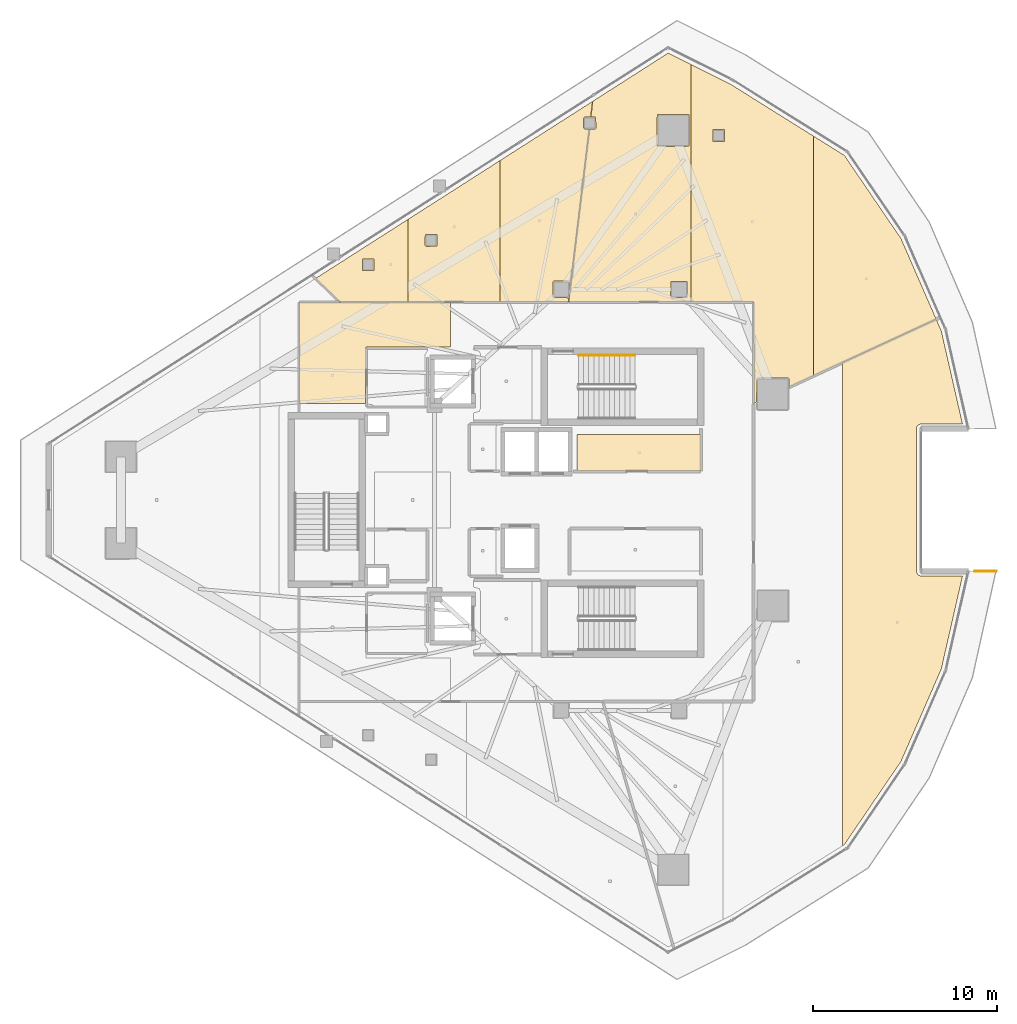
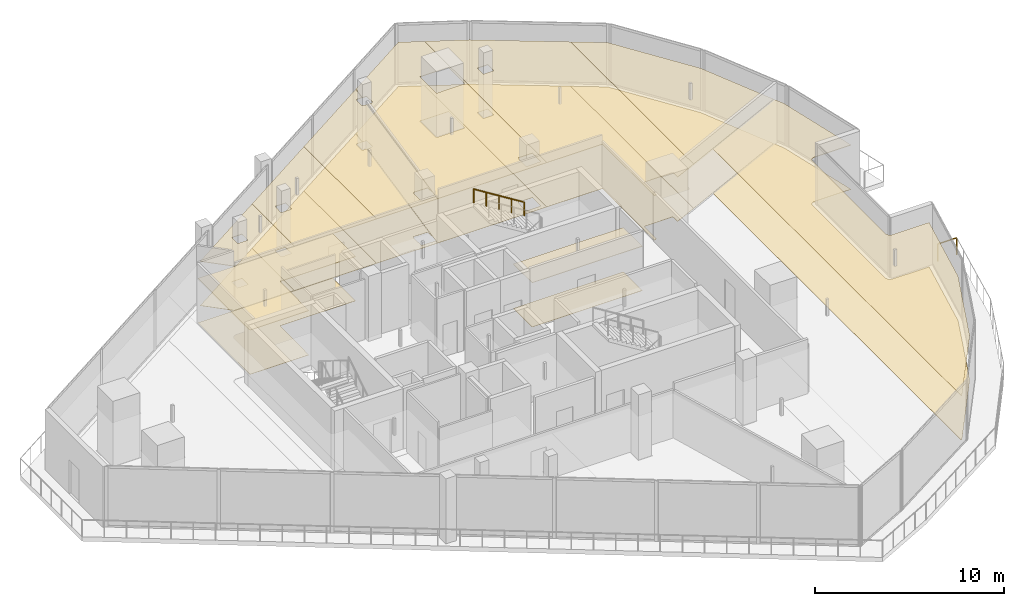
# One storey, part 31 of 31: 18 coverings, 2 railings.
"""IFC4 building model written with IfcOpenShell, lengths in metres."""

import ifcopenshell
import ifcopenshell.guid

model = None  # the IFC model being written
_history = None  # IfcOwnerHistory: only IFC2X3 demands one
_inside = {}  # id of a spatial element -> (the spatial element, [elements in it])
_under = {}  # id of a project, library or spatial element -> (it, [spatial elements below it])
_declared = {}  # id of a project -> (the project, [libraries it declares])
_typed = {}  # id of a type object -> (the type object, [elements of that type])
_made_of = {}  # id of a material, layer set ... -> (it, [elements and type objects made of it])


def new_model(schema):
    """Start an empty IFC model of exactly this schema.

    Asked for "IFC4X3", IfcOpenShell would pick the latest addendum, in which some entities
    have other attributes; the version numbers below select the first issue.
    IFC2X3 requires an IfcOwnerHistory on every rooted entity: one is made here for all.
    """
    global model, _history
    if schema == "IFC4X3":
        model = ifcopenshell.file(schema_version=(4, 3, 0, 0))
    else:
        model = ifcopenshell.file(schema=schema)
    _inside.clear()
    _under.clear()
    _declared.clear()
    _typed.clear()
    _made_of.clear()
    _history = None
    if model.schema == "IFC2X3":
        org = make("IfcOrganization", Name="unknown")
        user = make(
            "IfcPersonAndOrganization",
            ThePerson=make("IfcPerson", FamilyName="unknown"),
            TheOrganization=org,
        )
        app = make(
            "IfcApplication",
            ApplicationDeveloper=org,
            Version="unknown",
            ApplicationFullName="unknown",
            ApplicationIdentifier="unknown",
        )
        _history = make(
            "IfcOwnerHistory",
            OwningUser=user,
            OwningApplication=app,
            ChangeAction="ADDED",
            CreationDate=0,
        )
    return model


def make(cls, **values):
    """One entity of the class cls with the attributes given. An attribute that is None is left unset."""
    return model.create_entity(
        cls, **{name: value for name, value in values.items() if value is not None}
    )


def rooted(cls, **values):
    """An entity with a GlobalId (a new one), such as an element, a storey or a relation."""
    return make(cls, GlobalId=ifcopenshell.guid.new(), OwnerHistory=_history, **values)


def si_unit(unit_type, name, prefix=None):
    """IfcSIUnit, for example si_unit("LENGTHUNIT", "METRE", prefix="MILLI")."""
    return make("IfcSIUnit", UnitType=unit_type, Prefix=prefix, Name=name)


def assignment(units):
    """IfcUnitAssignment: the units of a project."""
    return None if units is None else make("IfcUnitAssignment", Units=units)


def point(xyz):
    """IfcCartesianPoint."""
    return None if xyz is None else make("IfcCartesianPoint", Coordinates=xyz)


def direction(xyz):
    """IfcDirection."""
    return None if xyz is None else make("IfcDirection", DirectionRatios=xyz)


def frame(location, z_axis=None, x_axis=None):
    """IfcAxis2Placement3D, a coordinate frame: its origin and axes. An axis left out is left unset."""
    return make(
        "IfcAxis2Placement3D",
        Location=point(location),
        Axis=direction(z_axis),
        RefDirection=direction(x_axis),
    )


def frame_2d(location, x_axis=None):
    """IfcAxis2Placement2D, a coordinate frame in the plane: its origin and x axis."""
    return make(
        "IfcAxis2Placement2D", Location=point(location), RefDirection=direction(x_axis)
    )


def origin():
    """The frame at (0, 0, 0) with its axes left unset."""
    return frame((0.0, 0.0, 0.0))


def origin_2d():
    """The frame at (0, 0) in the plane with its x axis left unset."""
    return frame_2d((0.0, 0.0))


def place(relative_to, where):
    """IfcLocalPlacement: puts the frame where relative to a parent placement (None: the world)."""
    return make(
        "IfcLocalPlacement", PlacementRelTo=relative_to, RelativePlacement=where
    )


def context(
    kind, dimensions, precision=None, world=None, true_north=None, identifier=None
):
    """IfcGeometricRepresentationContext, for example the 3D "Model" context."""
    return make(
        "IfcGeometricRepresentationContext",
        ContextIdentifier=identifier,
        ContextType=kind,
        CoordinateSpaceDimension=dimensions,
        Precision=precision,
        WorldCoordinateSystem=world,
        TrueNorth=true_north,
    )


def subcontext(parent, identifier, kind, view, scale=None):
    """IfcGeometricRepresentationSubContext, for example "Body" below "Model"."""
    return make(
        "IfcGeometricRepresentationSubContext",
        ContextIdentifier=identifier,
        ContextType=kind,
        ParentContext=parent,
        TargetScale=scale,
        TargetView=view,
    )


def project(units=None, contexts=None):
    """IfcProject with its units and contexts."""
    return rooted(
        "IfcProject",
        Name="project",
        RepresentationContexts=contexts,
        UnitsInContext=assignment(units),
    )


def spatial(cls, under=None, at=None, **own):
    """A site, building, storey or space (cls), placed at a placement, below another one or the project."""
    s = rooted(cls, ObjectPlacement=at, **own)
    if under is not None:
        _under.setdefault(under.id(), (under, []))[1].append(s)
    return s


def polyline(points):
    """IfcPolyline through the points."""
    return make("IfcPolyline", Points=[point(p) for p in points])


def profile(cls, at=None, kind="AREA", **sizes):
    """A parametric profile (cls). Its sizes go by their IFC names, for example OverallWidth=200.0."""
    return make(cls, ProfileType=kind, Position=at, **sizes)


def circle(**sizes):
    """IfcCircleProfileDef."""
    return profile("IfcCircleProfileDef", **sizes)


def outline(outer, holes=None, kind="AREA"):
    """IfcArbitraryClosedProfileDef: a profile drawn as a closed curve; with holes, ...WithVoids."""
    if holes is None:
        return make("IfcArbitraryClosedProfileDef", ProfileType=kind, OuterCurve=outer)
    return make(
        "IfcArbitraryProfileDefWithVoids",
        ProfileType=kind,
        OuterCurve=outer,
        InnerCurves=holes,
    )


def extrude(swept, where, along, depth):
    """IfcExtrudedAreaSolid: the profile swept, set in the frame where, extruded along a direction by depth."""
    return make(
        "IfcExtrudedAreaSolid",
        SweptArea=swept,
        Position=where,
        ExtrudedDirection=direction(along),
        Depth=depth,
    )


def shape(context_of_items, identifier, shape_type, items):
    """IfcShapeRepresentation: the items that make up one representation, for example the "Body"."""
    return make(
        "IfcShapeRepresentation",
        ContextOfItems=context_of_items,
        RepresentationIdentifier=identifier,
        RepresentationType=shape_type,
        Items=items,
    )


def material(Name=None, Category=None):
    """IfcMaterial."""
    return make("IfcMaterial", Name=Name, Category=Category)


def layer(
    of_material, thickness, ventilated=None, Name=None, Category=None, Priority=None
):
    """IfcMaterialLayer: one layer of a wall or slab, of a material (None: an air gap)."""
    return make(
        "IfcMaterialLayer",
        Material=of_material,
        LayerThickness=thickness,
        IsVentilated=ventilated,
        Name=Name,
        Category=Category,
        Priority=Priority,
    )


def layer_set(layers, Name=None):
    """IfcMaterialLayerSet."""
    return make("IfcMaterialLayerSet", MaterialLayers=layers, LayerSetName=Name)


def made_of(thing, what):
    """Note that an element or type object is made of a material, layer set ...; save() writes the relation."""
    if what is not None:
        _made_of.setdefault(what.id(), (what, []))[1].append(thing)
    return thing


def type_object(cls, material=None, **own):
    """A type object (cls), such as IfcWallType, which elements share."""
    return made_of(rooted(cls, **own), material)


def element(
    cls,
    number,
    at=None,
    inside=None,
    cuts=None,
    type_object=None,
    material=None,
    context=None,
    identifier="Body",
    shape_type=None,
    held_by="IfcProductDefinitionShape",
    body=None,
    shapes=None,
    **own,
):
    """One element of the class cls, such as IfcWall. Its Tag is "e" and its number.

    at: its placement. inside: the storey or other place that contains it. cuts: it is an
    opening in that element (IfcRelVoidsElement). A single representation is given by context,
    identifier, shape_type and body (its items); several are given by shapes. held_by: the class
    of the entity that holds the representations. save() writes the other relations.
    """
    e = rooted(cls, Tag="e%d" % number, ObjectPlacement=at, **own)
    if body is not None:
        shapes = [shape(context, identifier, shape_type, body)]
    if shapes is not None:
        e.Representation = make(held_by, Representations=shapes)
    if inside is not None:
        _inside.setdefault(inside.id(), (inside, []))[1].append(e)
    if cuts is not None:
        rooted(
            "IfcRelVoidsElement", RelatingBuildingElement=cuts, RelatedOpeningElement=e
        )
    if type_object is not None:
        _typed.setdefault(type_object.id(), (type_object, []))[1].append(e)
    return made_of(e, material)


def aggregate(whole, parts):
    """IfcRelAggregates: a whole, such as a stair, and the parts it consists of."""
    return rooted("IfcRelAggregates", RelatingObject=whole, RelatedObjects=parts)


def save(model, path):
    """Write the relations noted so far, then the file.

    IfcRelAggregates (storeys below a building ...), IfcRelContainedInSpatialStructure (elements
    in a storey), IfcRelDefinesByType, IfcRelAssociatesMaterial and IfcRelDeclares: one each for
    every whole, place, type object, material and project.
    """
    for whole, parts in _under.values():
        aggregate(whole, parts)
    for where, things in _inside.values():
        rooted(
            "IfcRelContainedInSpatialStructure",
            RelatedElements=things,
            RelatingStructure=where,
        )
    for kind, things in _typed.values():
        rooted("IfcRelDefinesByType", RelatedObjects=things, RelatingType=kind)
    for what, things in _made_of.values():
        rooted("IfcRelAssociatesMaterial", RelatedObjects=things, RelatingMaterial=what)
    for by, libraries in _declared.values():
        rooted("IfcRelDeclares", RelatingContext=by, RelatedDefinitions=libraries)
    model.write(path)


model = new_model("IFC4")

# Units and contexts
model_context = context("Model", 3, precision=1e-05, world=origin(), true_north=direction((0.0, 1.0)))
body_context = subcontext(model_context, "Body", "Model", "MODEL_VIEW")
ifc_project = project(units=[si_unit("LENGTHUNIT", "METRE"), si_unit("AREAUNIT", "SQUARE_METRE"), si_unit("VOLUMEUNIT", "CUBIC_METRE"), si_unit("PLANEANGLEUNIT", "RADIAN"), si_unit("MASSUNIT", "GRAM", prefix="KILO")], contexts=[model_context])

# Site, building, storey
site_placement = place(None, origin())
site = spatial("IfcSite", under=ifc_project, at=site_placement, CompositionType="ELEMENT")
building_placement = place(site_placement, origin())
building = spatial("IfcBuilding", under=site, at=building_placement, Name="Qorvath Tower", CompositionType="ELEMENT")
storey_placement = place(building_placement, frame((0.0, 0.0, 264.0)))
storey = spatial("IfcBuildingStorey", under=building, at=storey_placement, Name="L61", CompositionType="ELEMENT", Elevation=264.0)

# Coverings
ifc_material_1 = material(Name="Acoustic mineral fibre ceiling tile", Category="gypsum")
ifc_layer_1 = layer(ifc_material_1, 0.030029296875)
ifc_layer_set_1 = layer_set([ifc_layer_1], Name="COV-CEIL")
covering_type_1 = type_object("IfcCoveringType", Name="COV-CEIL", PredefinedType="CEILING", material=ifc_layer_set_1)
covering_1_placement = place(storey_placement, frame((0.0, 0.0, 2.85009765625)))
element("IfcCovering", 1, at=covering_1_placement, inside=storey, type_object=covering_type_1, Name="L61 Suspended Acoustic Ceiling 003", PredefinedType="CEILING", context=body_context, shape_type="SweptSolid", body=[
    extrude(outline(polyline([(-16.0048828125, 3.56005859375), (-22.739990234375, 3.56005859375), (-22.739990234375, 1.56494140625), (-16.0048828125, 1.56494140625), (-16.0048828125, 3.56005859375)])), origin(), (0.0, 0.0, 1.0), 0.030029296875),
])
covering_2_placement = place(storey_placement, frame((0.0, 0.0, 2.85009765625)))
element("IfcCovering", 2, at=covering_2_placement, inside=storey, type_object=covering_type_1, Name="L61 Suspended Acoustic Ceiling 011", PredefinedType="CEILING", context=body_context, shape_type="SweptSolid", body=[
    extrude(outline(polyline([(-29.614990234375, 8.324951171875), (-29.614990234375, 10.7451171875), (-37.844970703125, 10.7451171875), (-37.844970703125, 5.239990234375), (-34.2509765625, 5.239990234375), (-34.219970703125, 8.324951171875), (-29.614990234375, 8.324951171875)])), origin(), (0.0, 0.0, 1.0), 0.030029296875),
])
covering_3_placement = place(storey_placement, frame((0.0, 0.0, 2.85009765625)))
element("IfcCovering", 3, at=covering_3_placement, inside=storey, type_object=covering_type_1, Name="L61 Suspended Acoustic Ceiling 018", PredefinedType="CEILING", context=body_context, shape_type="SweptSolid", body=[
    extrude(outline(polyline([(-2.941650390625, 9.189697265625), (-3.216064453125, 9.81884765625), (-8.301025390625, 7.4716796875), (-8.301025390625, -18.788818359375), (-8.21044921875, -18.732177734375), (-5.135986328125, -14.220947265625), (-2.941650390625, -9.189697265625), (-1.786376953125, -4.126708984375), (-4.072509765625, -4.12548828125), (-4.229248046875, -4.05078125), (-4.3017578125, -3.896240234375), (-4.291259765625, 3.947265625), (-4.20849609375, 4.069580078125), (-4.072509765625, 4.12548828125), (-1.786376953125, 4.126708984375), (-2.941650390625, 9.189697265625)])), origin(), (0.0, 0.0, 1.0), 0.030029296875),
])
covering_4_placement = place(storey_placement, frame((0.0, 0.0, 2.85009765625)))
element("IfcCovering", 4, at=covering_4_placement, inside=storey, type_object=covering_type_1, Name="L61 Suspended Acoustic Ceiling 019", PredefinedType="CEILING", context=body_context, shape_type="SweptSolid", body=[
    extrude(outline(polyline([(-17.787109375, 24.300048828125), (-21.8857421875, 21.680419921875), (-21.98828125, 20.829833984375), (-21.73583984375, 20.812255859375), (-21.71826171875, 20.219970703125), (-21.7783203125, 20.159912109375), (-22.06884765625, 20.159912109375), (-23.19970703125, 10.762939453125), (-16.541015625, 10.761962890625), (-16.541015625, 23.677001953125), (-17.787109375, 24.300048828125)]), holes=[polyline([(-18.400390625, 19.276611328125), (-18.3828125, 20.968994140625), (-16.648193359375, 20.968994140625), (-16.648193359375, 19.234130859375), (-18.340576171875, 19.216552734375), (-18.400390625, 19.276611328125)]), polyline([(-17.659912109375, 11.050048828125), (-17.642333984375, 11.892333984375), (-16.757568359375, 11.892333984375), (-16.757568359375, 11.007568359375), (-17.60009765625, 10.989990234375), (-17.659912109375, 11.050048828125)])]), origin(), (0.0, 0.0, 1.0), 0.030029296875),
])
covering_5_placement = place(storey_placement, frame((0.0, 0.0, 2.85009765625)))
element("IfcCovering", 5, at=covering_5_placement, inside=storey, type_object=covering_type_1, Name="L61 Suspended Acoustic Ceiling 020", PredefinedType="CEILING", context=body_context, shape_type="SweptSolid", body=[
    extrude(outline(polyline([(-16.541015625, 23.677001953125), (-16.541015625, 10.761962890625), (-13.138427734375, 10.761474609375), (-13.136962890625, 5.25927734375), (-12.981689453125, 5.3310546875), (-12.964111328125, 6.625244140625), (-11.271728515625, 6.642822265625), (-11.2119140625, 6.5830078125), (-11.2119140625, 6.14794921875), (-9.882080078125, 6.76171875), (-9.882080078125, 19.778076171875), (-14.4140625, 22.613525390625), (-16.541015625, 23.677001953125)]), holes=[polyline([(-15.363525390625, 19.500732421875), (-15.363525390625, 20.135498046875), (-14.728759765625, 20.135498046875), (-14.728759765625, 19.500732421875), (-15.363525390625, 19.500732421875)])]), origin(), (0.0, 0.0, 1.0), 0.030029296875),
])
covering_6_placement = place(storey_placement, frame((0.0, 0.0, 2.85009765625)))
element("IfcCovering", 6, at=covering_6_placement, inside=storey, type_object=covering_type_1, Name="L61 Suspended Acoustic Ceiling 021", PredefinedType="CEILING", context=body_context, shape_type="SweptSolid", body=[
    extrude(outline(polyline([(-9.882080078125, 19.778076171875), (-9.882080078125, 6.76171875), (-3.223388671875, 9.83544921875), (-5.135986328125, 14.220947265625), (-8.21044921875, 18.732177734375), (-9.882080078125, 19.778076171875)])), origin(), (0.0, 0.0, 1.0), 0.030029296875),
])
covering_7_placement = place(storey_placement, frame((0.0, 0.0, 2.85009765625)))
element("IfcCovering", 7, at=covering_7_placement, inside=storey, type_object=covering_type_1, Name="L61 Suspended Acoustic Ceiling 022", PredefinedType="CEILING", context=body_context, shape_type="SweptSolid", body=[
    extrude(outline(polyline([(-31.93994140625, 10.762939453125), (-31.93994140625, 15.25439453125), (-36.95703125, 12.0478515625), (-35.626708984375, 10.762939453125), (-31.93994140625, 10.762939453125)]), holes=[polyline([(-34.421630859375, 12.47509765625), (-34.421630859375, 13.10986328125), (-33.786865234375, 13.10986328125), (-33.786865234375, 12.47509765625), (-34.421630859375, 12.47509765625)])]), origin(), (0.0, 0.0, 1.0), 0.030029296875),
])
covering_8_placement = place(storey_placement, frame((0.0, 0.0, 2.85009765625)))
element("IfcCovering", 8, at=covering_8_placement, inside=storey, type_object=covering_type_1, Name="L61 Suspended Acoustic Ceiling 023", PredefinedType="CEILING", context=body_context, shape_type="SweptSolid", body=[
    extrude(outline(polyline([(-26.922607421875, 10.762939453125), (-26.922607421875, 18.461181640625), (-31.93994140625, 15.25439453125), (-31.93994140625, 10.762939453125), (-26.922607421875, 10.762939453125)]), holes=[polyline([(-31.01220703125, 13.849365234375), (-30.99462890625, 14.441650390625), (-30.35986328125, 14.441650390625), (-30.35986328125, 13.806884765625), (-30.9521484375, 13.789306640625), (-31.01220703125, 13.849365234375)])]), origin(), (0.0, 0.0, 1.0), 0.030029296875),
])
covering_9_placement = place(storey_placement, frame((0.0, 0.0, 2.85009765625)))
element("IfcCovering", 9, at=covering_9_placement, inside=storey, type_object=covering_type_1, Name="L61 Suspended Acoustic Ceiling 024", PredefinedType="CEILING", context=body_context, shape_type="SweptSolid", body=[
    extrude(outline(polyline([(-22.328125, 20.829833984375), (-22.00634765625, 20.829833984375), (-21.905517578125, 21.667724609375), (-26.922607421875, 18.461181640625), (-26.922607421875, 10.762939453125), (-23.2177734375, 10.762939453125), (-23.18994140625, 10.994140625), (-24.04248046875, 11.007568359375), (-24.06005859375, 11.85009765625), (-24.0, 11.909912109375), (-23.157470703125, 11.892333984375), (-23.139892578125, 11.40966796875), (-22.0869140625, 20.159912109375), (-22.328125, 20.159912109375), (-22.38818359375, 20.219970703125), (-22.38818359375, 20.77001953125), (-22.328125, 20.829833984375)])), origin(), (0.0, 0.0, 1.0), 0.030029296875),
])
ifc_material_2 = material(Name="Low-VOC modular carpet tile", Category="textile")
ifc_layer_2 = layer(ifc_material_2, 0.014892578125)
ifc_layer_set_2 = layer_set([ifc_layer_2], Name="COV-FLOOR-CPT")
covering_type_2 = type_object("IfcCoveringType", Name="COV-FLOOR-CPT", PredefinedType="FLOORING", material=ifc_layer_set_2)
covering_10_placement = place(storey_placement, origin())
element("IfcCovering", 10, at=covering_10_placement, inside=storey, type_object=covering_type_2, Name="L61 Floor Finish 003", PredefinedType="FLOORING", context=body_context, shape_type="SweptSolid", body=[
    extrude(outline(polyline([(-16.0048828125, 3.56005859375), (-22.739990234375, 3.56005859375), (-22.739990234375, 1.56494140625), (-16.0048828125, 1.56494140625), (-16.0048828125, 3.56005859375)])), origin(), (0.0, 0.0, 1.0), 0.014892578125),
])
covering_11_placement = place(storey_placement, origin())
element("IfcCovering", 11, at=covering_11_placement, inside=storey, type_object=covering_type_2, Name="L61 Floor Finish 018", PredefinedType="FLOORING", context=body_context, shape_type="SweptSolid", body=[
    extrude(outline(polyline([(-2.941650390625, 9.189697265625), (-3.216064453125, 9.81884765625), (-8.301025390625, 7.4716796875), (-8.301025390625, -18.788818359375), (-8.21044921875, -18.732177734375), (-5.135986328125, -14.220947265625), (-2.941650390625, -9.189697265625), (-1.786376953125, -4.126708984375), (-4.072509765625, -4.12548828125), (-4.229248046875, -4.05078125), (-4.3017578125, -3.896240234375), (-4.291259765625, 3.947265625), (-4.20849609375, 4.069580078125), (-4.072509765625, 4.12548828125), (-1.786376953125, 4.126708984375), (-2.941650390625, 9.189697265625)])), origin(), (0.0, 0.0, 1.0), 0.014892578125),
])
covering_12_placement = place(storey_placement, origin())
element("IfcCovering", 12, at=covering_12_placement, inside=storey, type_object=covering_type_2, Name="L61 Floor Finish 019", PredefinedType="FLOORING", context=body_context, shape_type="SweptSolid", body=[
    extrude(outline(polyline([(-17.787109375, 24.300048828125), (-21.8857421875, 21.680419921875), (-21.98828125, 20.829833984375), (-21.73583984375, 20.812255859375), (-21.71826171875, 20.219970703125), (-21.7783203125, 20.159912109375), (-22.06884765625, 20.159912109375), (-23.19970703125, 10.762939453125), (-16.541015625, 10.761962890625), (-16.541015625, 23.677001953125), (-17.787109375, 24.300048828125)]), holes=[polyline([(-18.400390625, 19.276611328125), (-18.3828125, 20.968994140625), (-16.648193359375, 20.968994140625), (-16.648193359375, 19.234130859375), (-18.340576171875, 19.216552734375), (-18.400390625, 19.276611328125)]), polyline([(-17.659912109375, 11.050048828125), (-17.642333984375, 11.892333984375), (-16.757568359375, 11.892333984375), (-16.757568359375, 11.007568359375), (-17.60009765625, 10.989990234375), (-17.659912109375, 11.050048828125)])]), origin(), (0.0, 0.0, 1.0), 0.014892578125),
])
covering_13_placement = place(storey_placement, origin())
element("IfcCovering", 13, at=covering_13_placement, inside=storey, type_object=covering_type_2, Name="L61 Floor Finish 020", PredefinedType="FLOORING", context=body_context, shape_type="SweptSolid", body=[
    extrude(outline(polyline([(-16.541015625, 23.677001953125), (-16.541015625, 10.761962890625), (-13.138427734375, 10.761474609375), (-13.136962890625, 5.25927734375), (-12.981689453125, 5.3310546875), (-12.964111328125, 6.625244140625), (-11.271728515625, 6.642822265625), (-11.2119140625, 6.5830078125), (-11.2119140625, 6.14794921875), (-9.882080078125, 6.76171875), (-9.882080078125, 19.778076171875), (-14.4140625, 22.613525390625), (-16.541015625, 23.677001953125)]), holes=[polyline([(-15.363525390625, 19.500732421875), (-15.363525390625, 20.135498046875), (-14.728759765625, 20.135498046875), (-14.728759765625, 19.500732421875), (-15.363525390625, 19.500732421875)])]), origin(), (0.0, 0.0, 1.0), 0.014892578125),
])
covering_14_placement = place(storey_placement, origin())
element("IfcCovering", 14, at=covering_14_placement, inside=storey, type_object=covering_type_2, Name="L61 Floor Finish 021", PredefinedType="FLOORING", context=body_context, shape_type="SweptSolid", body=[
    extrude(outline(polyline([(-9.882080078125, 19.778076171875), (-9.882080078125, 6.76171875), (-3.223388671875, 9.83544921875), (-5.135986328125, 14.220947265625), (-8.21044921875, 18.732177734375), (-9.882080078125, 19.778076171875)])), origin(), (0.0, 0.0, 1.0), 0.014892578125),
])
covering_15_placement = place(storey_placement, origin())
element("IfcCovering", 15, at=covering_15_placement, inside=storey, type_object=covering_type_2, Name="L61 Floor Finish 022", PredefinedType="FLOORING", context=body_context, shape_type="SweptSolid", body=[
    extrude(outline(polyline([(-31.93994140625, 10.762939453125), (-31.93994140625, 15.25439453125), (-36.95703125, 12.0478515625), (-35.626708984375, 10.762939453125), (-31.93994140625, 10.762939453125)]), holes=[polyline([(-34.421630859375, 12.47509765625), (-34.421630859375, 13.10986328125), (-33.786865234375, 13.10986328125), (-33.786865234375, 12.47509765625), (-34.421630859375, 12.47509765625)])]), origin(), (0.0, 0.0, 1.0), 0.014892578125),
])
covering_16_placement = place(storey_placement, origin())
element("IfcCovering", 16, at=covering_16_placement, inside=storey, type_object=covering_type_2, Name="L61 Floor Finish 023", PredefinedType="FLOORING", context=body_context, shape_type="SweptSolid", body=[
    extrude(outline(polyline([(-26.922607421875, 10.762939453125), (-26.922607421875, 18.461181640625), (-31.93994140625, 15.25439453125), (-31.93994140625, 10.762939453125), (-26.922607421875, 10.762939453125)]), holes=[polyline([(-31.01220703125, 13.849365234375), (-30.99462890625, 14.441650390625), (-30.35986328125, 14.441650390625), (-30.35986328125, 13.806884765625), (-30.9521484375, 13.789306640625), (-31.01220703125, 13.849365234375)])]), origin(), (0.0, 0.0, 1.0), 0.014892578125),
])
covering_17_placement = place(storey_placement, origin())
element("IfcCovering", 17, at=covering_17_placement, inside=storey, type_object=covering_type_2, Name="L61 Floor Finish 024", PredefinedType="FLOORING", context=body_context, shape_type="SweptSolid", body=[
    extrude(outline(polyline([(-22.328125, 20.829833984375), (-22.00634765625, 20.829833984375), (-21.905517578125, 21.667724609375), (-26.922607421875, 18.461181640625), (-26.922607421875, 10.762939453125), (-23.2177734375, 10.762939453125), (-23.18994140625, 10.994140625), (-24.04248046875, 11.007568359375), (-24.06005859375, 11.85009765625), (-24.0, 11.909912109375), (-23.157470703125, 11.892333984375), (-23.139892578125, 11.40966796875), (-22.0869140625, 20.159912109375), (-22.328125, 20.159912109375), (-22.38818359375, 20.219970703125), (-22.38818359375, 20.77001953125), (-22.328125, 20.829833984375)])), origin(), (0.0, 0.0, 1.0), 0.014892578125),
])
ifc_material_3 = material(Name="Polished epoxy terrazzo flooring", Category="concrete")
ifc_layer_3 = layer(ifc_material_3, 0.02001953125)
ifc_layer_set_3 = layer_set([ifc_layer_3], Name="COV-FLOOR-TRZ")
covering_type_3 = type_object("IfcCoveringType", Name="COV-FLOOR-TRZ", PredefinedType="FLOORING", material=ifc_layer_set_3)
covering_18_placement = place(storey_placement, origin())
element("IfcCovering", 18, at=covering_18_placement, inside=storey, type_object=covering_type_3, Name="L61 Floor Finish 011", PredefinedType="FLOORING", context=body_context, shape_type="SweptSolid", body=[
    extrude(outline(polyline([(-29.614990234375, 8.324951171875), (-29.614990234375, 10.7451171875), (-37.844970703125, 10.7451171875), (-37.844970703125, 5.239990234375), (-34.2509765625, 5.239990234375), (-34.219970703125, 8.324951171875), (-29.614990234375, 8.324951171875)])), origin(), (0.0, 0.0, 1.0), 0.014892578125),
])

# Railings
ifc_material_4 = material(Name="Laminated safety glass and stainless steel AISI 316", Category="steel")
railing_type_1 = type_object("IfcRailingType", Name="RL-EXT-GRD", PredefinedType="GUARDRAIL", material=ifc_material_4)
railing_1_placement = place(storey_placement, frame((-1.116943359375, -3.871826171875, 0.0)))
element("IfcRailing", 19, at=railing_1_placement, inside=storey, type_object=railing_type_1, Name="Loggia Perimeter Guardrail L61-1.2", PredefinedType="GUARDRAIL", context=body_context, shape_type="SweptSolid", body=[
    extrude(circle(Radius=0.02392578125, at=origin_2d()), frame((0.0, 0.0, 1.09619140625), z_axis=(1.0, 0.0, 0.0), x_axis=(0.0, 1.0, 0.0)), (0.0, 0.0, 1.0), 1.158935546875),
    extrude(circle(Radius=0.02099609375, at=origin_2d()), origin(), (0.0, 0.0, 1.0), 1.072021484375),
    extrude(circle(Radius=0.02099609375, at=origin_2d()), frame((1.158935546875, 0.0, 0.0)), (0.0, 0.0, 1.0), 1.072021484375),
])
ifc_material_5 = material(Name="Brushed stainless steel AISI 304", Category="steel")
railing_type_2 = type_object("IfcRailingType", Name="RL-STR-HND", PredefinedType="HANDRAIL", material=ifc_material_5)
railing_2_placement = place(storey_placement, frame((-19.590087890625, 7.860107421875, 2.27490234375)))
element("IfcRailing", 20, at=railing_2_placement, inside=storey, type_object=railing_type_2, Name="L61 TS1 stair handrail 2", PredefinedType="HANDRAIL", context=body_context, shape_type="SweptSolid", body=[
    extrude(circle(Radius=0.02392578125, at=origin_2d()), frame((0.0, 0.0, 0.8759765625), z_axis=(-0.847979421464, 0.0, 0.530029150871), x_axis=(0.0, -1.0, 0.0)), (0.0, 0.0, 1.0), 3.632080078125),
    extrude(circle(Radius=0.02099609375, at=origin_2d()), origin(), (0.0, 0.0, 1.0), 0.851806640625),
    extrude(circle(Radius=0.02099609375, at=origin_2d()), frame((-0.77001953125, 0.0, 0.481201171875)), (0.0, 0.0, 1.0), 0.851806640625),
    extrude(circle(Radius=0.02099609375, at=origin_2d()), frame((-1.5400390625, 0.0, 0.96240234375)), (0.0, 0.0, 1.0), 0.851806640625),
    extrude(circle(Radius=0.02099609375, at=origin_2d()), frame((-2.309814453125, 0.0, 1.44384765625)), (0.0, 0.0, 1.0), 0.851806640625),
    extrude(circle(Radius=0.02099609375, at=origin_2d()), frame((-3.079833984375, 0.0, 1.925048828125)), (0.0, 0.0, 1.0), 0.851806640625),
])

save(model, "model.ifc")
